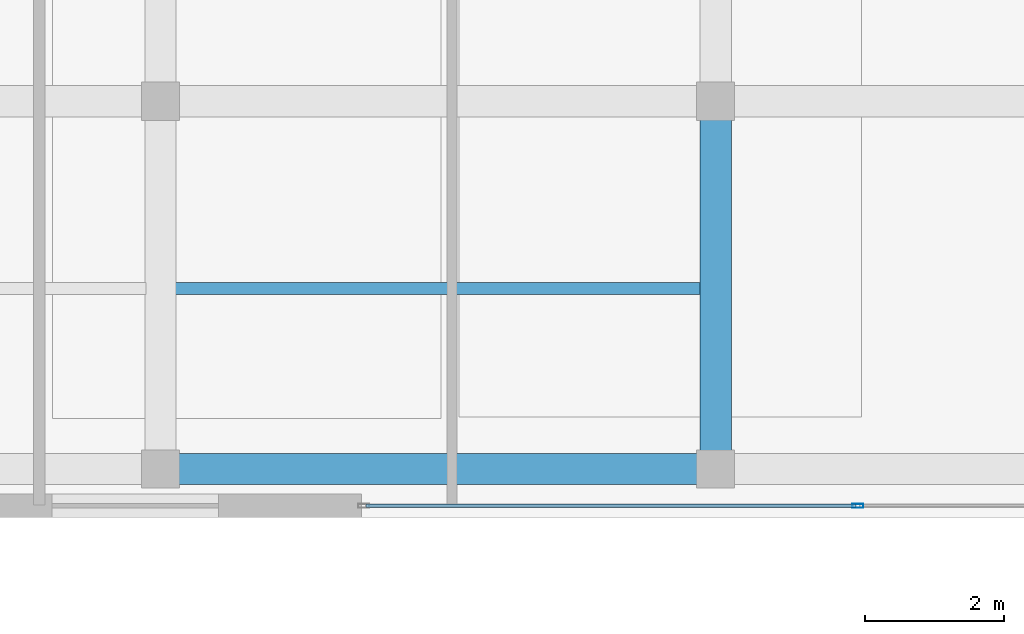
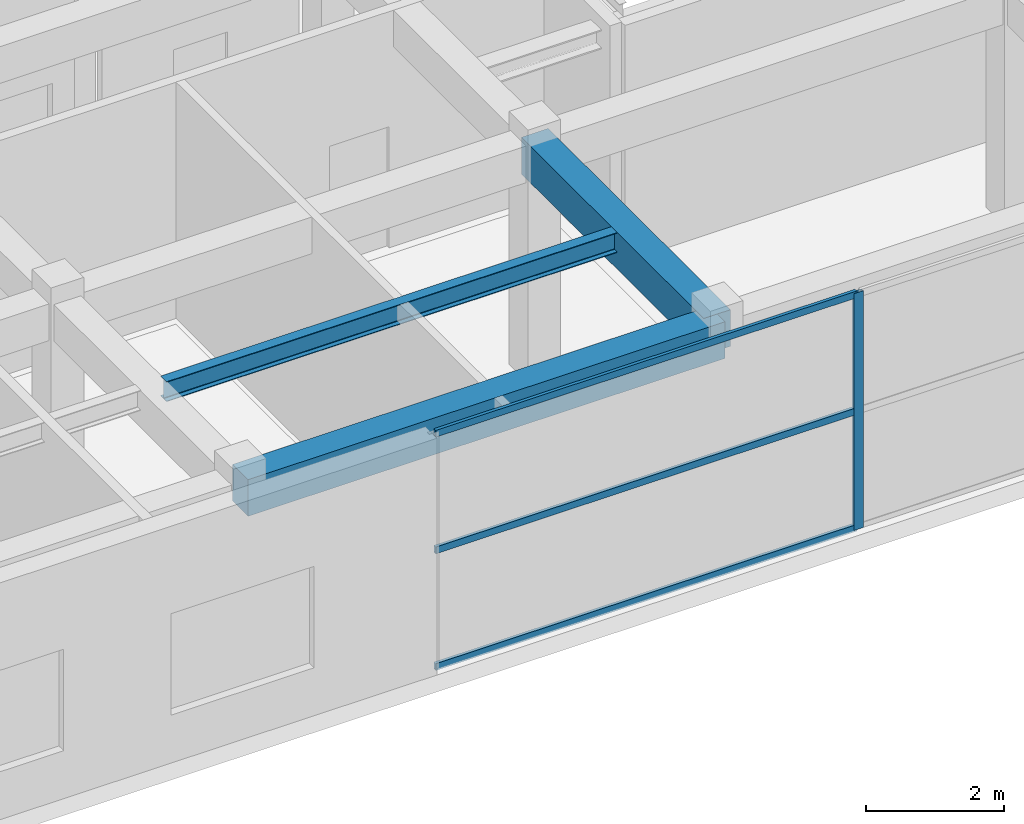
# One storey, part 11 of 33: 4 members, 3 beams, 1 element without a shape of its own.
"""IFC4 building model written with IfcOpenShell, lengths in metres."""

from ifc_helpers import new_model, si_unit, direction, frame, origin, origin_2d, place, context, subcontext, project, spatial, rectangle, hollow_rectangle, i_section, extrude, source, transform, mapped, material, layer, layer_set, material_profile, profile_set, type_object, element, aggregate, save


model = new_model("IFC4")

# Units and contexts
model_context = context("Model", 3, precision=1e-05, world=origin(), true_north=direction((0.0, 1.0)))
body_context = subcontext(model_context, "Body", "Model", "MODEL_VIEW")
ifc_project = project(units=[si_unit("LENGTHUNIT", "METRE"), si_unit("AREAUNIT", "SQUARE_METRE"), si_unit("VOLUMEUNIT", "CUBIC_METRE"), si_unit("PLANEANGLEUNIT", "RADIAN"), si_unit("MASSUNIT", "GRAM", prefix="KILO")], contexts=[model_context])

# Site, building, storey
site_placement = place(None, origin())
site = spatial("IfcSite", under=ifc_project, at=site_placement, CompositionType="ELEMENT")
building_placement = place(site_placement, origin())
building = spatial("IfcBuilding", under=site, at=building_placement, Name="Khoralis Quay Care Tower", CompositionType="ELEMENT")
storey_placement = place(building_placement, frame((0.0, 0.0, 18.0)))
storey = spatial("IfcBuildingStorey", under=building, at=storey_placement, Name="L04", CompositionType="ELEMENT", Elevation=18.0)

# Beams
ifc_material_1 = material(Name="Concrete C40/50", Category="concrete")
ifc_material_profile_1 = material_profile(ifc_material_1, rectangle(XDim=0.449951171875, YDim=0.64990234375, at=origin_2d()), Name="Concrete C40/50")
ifc_profile_set_1 = profile_set([ifc_material_profile_1], Name="Concrete C40/50")
beam_type_1 = type_object("IfcBeamType", Name="BM-RC450X650", PredefinedType="BEAM", material=ifc_profile_set_1)
shared_shape_1 = source(origin(), body_context, "Body", "SweptSolid", [
    extrude(rectangle(XDim=0.449951171875, YDim=0.64990234375, at=origin_2d()), origin(), (0.0, 0.0, 1.0), 8.0),
])
beam_1_placement = place(storey_placement, frame((76.0, 6.699951171875, 3.864990234375), z_axis=(1.0, 0.0, 0.0), x_axis=(0.0, 1.0, 0.0)))
element("IfcBeam", 1, at=beam_1_placement, inside=storey, type_object=beam_type_1, Name="BM-SCX-L04-02", PredefinedType="BEAM", context=body_context, shape_type="MappedRepresentation", body=[
    mapped(shared_shape_1, transform((0.0, 0.0, 0.0), scale=1.0)),
])
shared_shape_2 = source(origin(), body_context, "Body", "SweptSolid", [
    extrude(rectangle(XDim=0.449951171875, YDim=0.64990234375, at=origin_2d()), origin(), (0.0, 0.0, 1.0), 5.300048828125),
])
beam_2_placement = place(storey_placement, frame((84.0, 6.699951171875, 3.864990234375), z_axis=(0.0, 1.0, 0.0), x_axis=(-1.0, 0.0, 0.0)))
element("IfcBeam", 2, at=beam_2_placement, inside=storey, type_object=beam_type_1, Name="BM-SCY-L04-36", PredefinedType="BEAM", context=body_context, shape_type="MappedRepresentation", body=[
    mapped(shared_shape_2, transform((0.0, 0.0, 0.0), scale=1.0)),
])
ifc_material_2 = material(Name="Steel S355", Category="steel")
ifc_material_profile_2 = material_profile(ifc_material_2, i_section(OverallWidth=0.1708984375, OverallDepth=0.35498046875, WebThickness=0.007080078125, FlangeThickness=0.01171875, FilletRadius=0.012939453125, at=origin_2d()), Name="Steel S355")
ifc_profile_set_2 = profile_set([ifc_material_profile_2], Name="Steel S355")
beam_type_2 = type_object("IfcBeamType", Name="BM-W360X51", PredefinedType="JOIST", material=ifc_profile_set_2)
shared_shape_3 = source(origin(), body_context, "Body", "SweptSolid", [
    extrude(i_section(OverallWidth=0.1708984375, OverallDepth=0.35498046875, WebThickness=0.007080078125, FlangeThickness=0.01171875, FilletRadius=0.012939453125, at=origin_2d()), origin(), (0.0, 0.0, 1.0), 7.57421875),
])
beam_3_placement = place(storey_placement, frame((76.212890625, 9.300048828125, 4.012451171875), z_axis=(1.0, 0.0, 0.0), x_axis=(0.0, 1.0, 0.0)))
element("IfcBeam", 3, at=beam_3_placement, inside=storey, type_object=beam_type_2, Name="BM-SCJ-L04-52", PredefinedType="JOIST", context=body_context, shape_type="MappedRepresentation", body=[
    mapped(shared_shape_3, transform((0.0, 0.0, 0.0), scale=1.0)),
])

# Curtain wall, members
ifc_material_3 = material(Name="Pale anodised aluminium", Category="aluminium")
ifc_layer = layer(ifc_material_3, 0.14990234375)
ifc_layer_set = layer_set([ifc_layer], Name="Pale anodised aluminium")
curtain_wall_type = type_object("IfcCurtainWallType", Name="CW-SYS-SCHOOL", PredefinedType="NOTDEFINED", material=ifc_layer_set)
curtain_wall_placement = place(storey_placement, origin())
curtain_wall = element("IfcCurtainWall", 4, at=curtain_wall_placement, inside=storey, type_object=curtain_wall_type, Name="L04 Unitised Curtain Wall CW-SCH-L04-E0", PredefinedType="NOTDEFINED")
ifc_material_profile_3 = material_profile(ifc_material_3, hollow_rectangle(XDim=0.06005859375, YDim=0.159912109375, WallThickness=0.00390625, at=origin_2d()), Name="Pale anodised aluminium")
ifc_profile_set_3 = profile_set([ifc_material_profile_3], Name="Pale anodised aluminium")
member_type_1 = type_object("IfcMemberType", Name="CW-MUL-160", PredefinedType="MULLION", material=ifc_profile_set_3)
shared_shape_4 = source(origin(), body_context, "Body", "SweptSolid", [
    extrude(hollow_rectangle(XDim=0.06005859375, YDim=0.159912109375, WallThickness=0.00390625, at=origin_2d()), origin(), (0.0, 0.0, 1.0), 4.199951171875),
])
member_1_placement = place(storey_placement, frame((86.050048828125, 6.169921875, 0.0), z_axis=(0.0, 0.0, 1.0), x_axis=(0.0, 1.0, 0.0)))
member_1 = element("IfcMember", 5, at=member_1_placement, type_object=member_type_1, Name="CW6 mullion 2", PredefinedType="MULLION", context=body_context, shape_type="MappedRepresentation", body=[
    mapped(shared_shape_4, transform((0.0, 0.0, 0.0), scale=1.0)),
])
ifc_material_profile_4 = material_profile(ifc_material_3, hollow_rectangle(XDim=0.054931640625, YDim=0.1201171875, WallThickness=0.00390625, at=origin_2d()), Name="Pale anodised aluminium")
ifc_profile_set_4 = profile_set([ifc_material_profile_4], Name="Pale anodised aluminium")
member_type_2 = type_object("IfcMemberType", Name="CW-TRN-120", PredefinedType="USERDEFINED", material=ifc_profile_set_4)
shared_shape_5 = source(origin(), body_context, "Body", "SweptSolid", [
    extrude(hollow_rectangle(XDim=0.054931640625, YDim=0.1201171875, WallThickness=0.00390625, at=origin_2d()), origin(), (0.0, 0.0, 1.0), 7.06201171875),
])
member_2_placement = place(storey_placement, frame((78.9580078125, 6.169921875, 0.030029296875), z_axis=(1.0, 0.0, 0.0), x_axis=(0.0, 1.0, 0.0)))
member_2 = element("IfcMember", 6, at=member_2_placement, type_object=member_type_2, Name="CW6 transom 1.1", ObjectType="TRANSOM", PredefinedType="USERDEFINED", context=body_context, shape_type="MappedRepresentation", body=[
    mapped(shared_shape_5, transform((0.0, 0.0, 0.0), scale=1.0)),
])
member_3_placement = place(storey_placement, frame((78.9580078125, 6.169921875, 2.10009765625), z_axis=(1.0, 0.0, 0.0), x_axis=(0.0, 1.0, 0.0)))
member_3 = element("IfcMember", 7, at=member_3_placement, type_object=member_type_2, Name="CW6 transom 1.2", ObjectType="TRANSOM", PredefinedType="USERDEFINED", context=body_context, shape_type="MappedRepresentation", body=[
    mapped(shared_shape_5, transform((0.0, 0.0, 0.0), scale=1.0)),
])
member_4_placement = place(storey_placement, frame((78.9580078125, 6.169921875, 4.169921875), z_axis=(1.0, 0.0, 0.0), x_axis=(0.0, 1.0, 0.0)))
member_4 = element("IfcMember", 8, at=member_4_placement, type_object=member_type_2, Name="CW6 transom 1.3", ObjectType="TRANSOM", PredefinedType="USERDEFINED", context=body_context, shape_type="MappedRepresentation", body=[
    mapped(shared_shape_5, transform((0.0, 0.0, 0.0), scale=1.0)),
])
aggregate(curtain_wall, [member_1, member_2, member_3, member_4])

save(model, "model.ifc")
